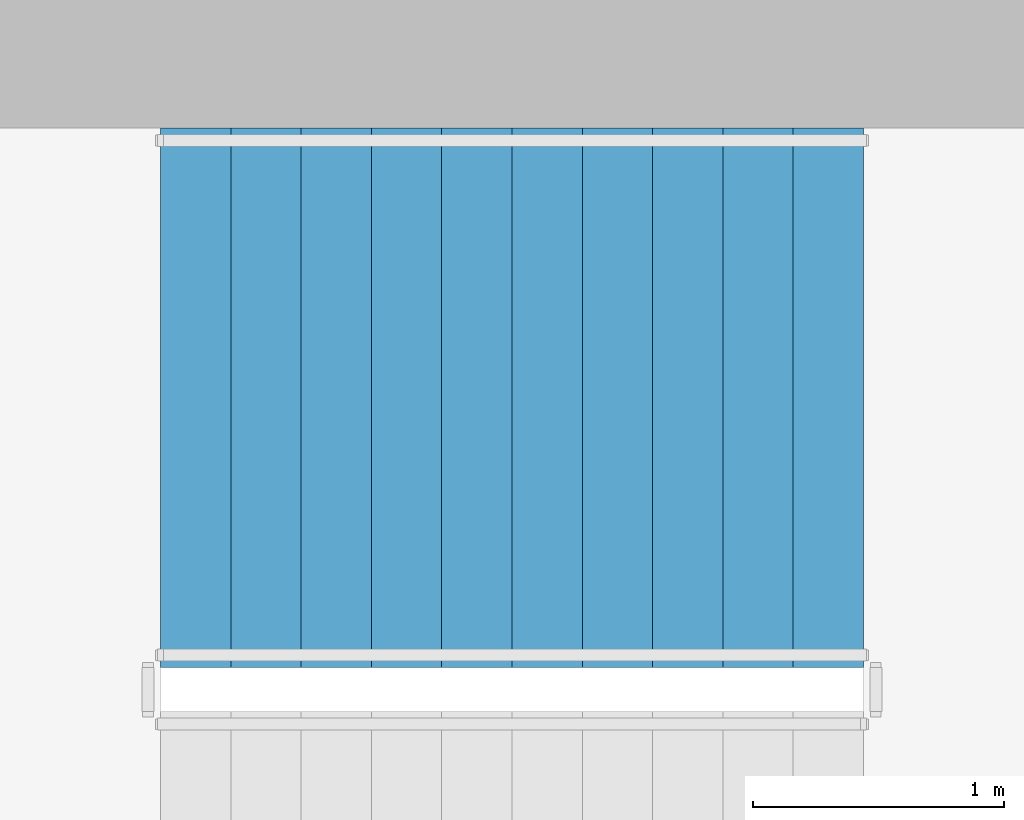
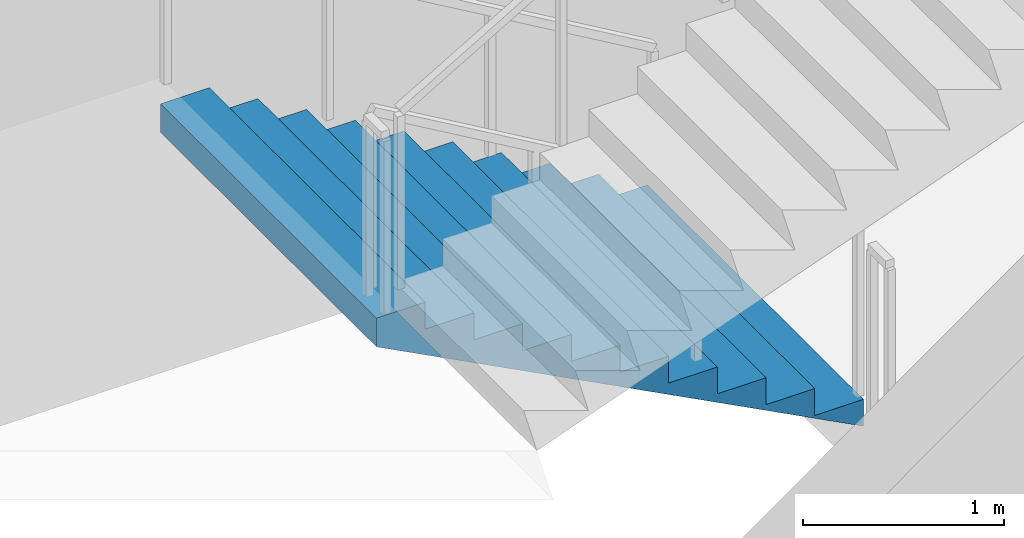
# One storey, part 12 of 20: 1 stair flight, 1 element without a shape of its own.
"""IFC4 building model written with IfcOpenShell, lengths in metres."""

from ifc_helpers import new_model, si_unit, direction, frame, origin, place, context, subcontext, project, spatial, triangles, material, type_object, element, aggregate, save


model = new_model("IFC4")

# Units and contexts
model_context = context("Model", 3, precision=1e-05, world=origin(), true_north=direction((0.0, 1.0)))
body_context = subcontext(model_context, "Body", "Model", "MODEL_VIEW")
ifc_project = project(units=[si_unit("LENGTHUNIT", "METRE"), si_unit("AREAUNIT", "SQUARE_METRE"), si_unit("VOLUMEUNIT", "CUBIC_METRE"), si_unit("PLANEANGLEUNIT", "RADIAN"), si_unit("MASSUNIT", "GRAM", prefix="KILO")], contexts=[model_context])

# Site, building, storey
site_placement = place(None, origin())
site = spatial("IfcSite", under=ifc_project, at=site_placement, CompositionType="ELEMENT")
building_placement = place(site_placement, origin())
building = spatial("IfcBuilding", under=site, at=building_placement, Name="Cypress Arch Tower", CompositionType="ELEMENT")
storey_placement = place(building_placement, frame((0.0, 0.0, 62.699951171875)))
storey = spatial("IfcBuildingStorey", under=building, at=storey_placement, Name="L09", CompositionType="ELEMENT", Elevation=62.699951171875)

# Stair, stair flight
ifc_material_1 = material(Name="Concrete C40/50", Category="concrete")
stair_type = type_object("IfcStairType", Name="Exit stair ES1636-215", PredefinedType="HALF_TURN_STAIR", material=ifc_material_1)
stair_placement = place(storey_placement, origin())
stair = element("IfcStair", 1, at=stair_placement, inside=storey, type_object=stair_type, Name="L09 Exit stair B", PredefinedType="HALF_TURN_STAIR")
ifc_material_2 = material(Name="Concrete C40/50", Category="concrete")
stair_flight_type = type_object("IfcStairFlightType", Name="Exit stair flight ES1636-215", PredefinedType="STRAIGHT", material=ifc_material_2)
stair_flight_placement = place(storey_placement, frame((-22.27490234375, 13.72509765625, 0.0), z_axis=(0.0, 0.0, 1.0), x_axis=(-1.0, 0.0, 0.0)))
stair_flight = element("IfcStairFlight", 2, at=stair_flight_placement, type_object=stair_flight_type, Name="B flight 1", NumberOfRisers=11, NumberOfTreads=10, PredefinedType="STRAIGHT", RiserHeight=0.163636364, TreadLength=0.28, context=body_context, shape_type="Tessellation", body=[
    triangles([(0.0, -1.074951171875, 0.0), (0.000244140625, -1.074951171875, 0.03271484375), (0.00048828125, -1.074951171875, 0.0654296875), (0.00048828125, -1.074951171875, 0.09814453125), (0.000244140625, -1.074951171875, 0.130859375), (0.0, -1.074951171875, 0.16357421875), (0.280029296875, -1.074951171875, 0.16357421875), (0.280029296875, -1.074951171875, 0.327392578125), (0.56005859375, -1.074951171875, 0.327392578125), (0.56005859375, -1.074951171875, 0.490966796875), (0.840087890625, -1.074951171875, 0.490966796875), (0.840087890625, -1.074951171875, 0.654541015625), (1.1201171875, -1.074951171875, 0.654541015625), (1.1201171875, -1.074951171875, 0.818115234375), (1.39990234375, -1.074951171875, 0.818115234375), (1.39990234375, -1.074951171875, 0.98193359375), (1.679931640625, -1.074951171875, 0.98193359375), (1.679931640625, -1.074951171875, 1.1455078125), (1.9599609375, -1.074951171875, 1.1455078125), (1.9599609375, -1.074951171875, 1.30908203125), (2.239990234375, -1.074951171875, 1.30908203125), (2.239990234375, -1.074951171875, 1.47265625), (2.52001953125, -1.074951171875, 1.47265625), (2.52001953125, -1.074951171875, 1.636474609375), (2.800048828125, -1.074951171875, 1.636474609375), (2.7998046875, -1.074951171875, 1.601806640625), (2.799560546875, -1.074951171875, 1.56689453125), (2.799560546875, -1.074951171875, 1.5322265625), (2.7998046875, -1.074951171875, 1.497314453125), (2.800048828125, -1.074951171875, 1.462646484375), (2.800048828125, 1.074951171875, 1.462646484375), (2.7998046875, 1.074951171875, 1.497314453125), (2.799560546875, 1.074951171875, 1.5322265625), (2.799560546875, 1.074951171875, 1.56689453125), (2.7998046875, 1.074951171875, 1.601806640625), (2.800048828125, 1.074951171875, 1.636474609375), (2.52001953125, 1.074951171875, 1.636474609375), (2.52001953125, 1.074951171875, 1.47265625), (2.239990234375, 1.074951171875, 1.47265625), (2.239990234375, 1.074951171875, 1.30908203125), (1.9599609375, 1.074951171875, 1.30908203125), (1.9599609375, 1.074951171875, 1.1455078125), (1.679931640625, 1.074951171875, 1.1455078125), (1.679931640625, 1.074951171875, 0.98193359375), (1.39990234375, 1.074951171875, 0.98193359375), (1.39990234375, 1.074951171875, 0.818115234375), (1.1201171875, 1.074951171875, 0.818115234375), (1.1201171875, 1.074951171875, 0.654541015625), (0.840087890625, 1.074951171875, 0.654541015625), (0.840087890625, 1.074951171875, 0.490966796875), (0.56005859375, 1.074951171875, 0.490966796875), (0.56005859375, 1.074951171875, 0.327392578125), (0.280029296875, 1.074951171875, 0.327392578125), (0.280029296875, 1.074951171875, 0.16357421875), (0.0, 1.074951171875, 0.16357421875), (0.000244140625, 1.074951171875, 0.130859375), (0.00048828125, 1.074951171875, 0.09814453125), (0.00048828125, 1.074951171875, 0.0654296875), (0.000244140625, 1.074951171875, 0.03271484375), (0.0, 1.074951171875, 0.0), (2.7998046875, 0.0, 1.497314453125), (2.800048828125, 0.0, 1.462646484375), (2.799560546875, 0.0, 1.5322265625), (2.799560546875, 0.0, 1.56689453125), (2.7998046875, 0.0, 1.601806640625), (2.800048828125, 0.0, 1.636474609375), (2.52001953125, 0.0, 1.636474609375), (2.52001953125, 0.0, 1.47265625), (2.239990234375, 0.0, 1.47265625), (2.239990234375, 0.0, 1.30908203125), (1.9599609375, 0.0, 1.30908203125), (1.9599609375, 0.0, 1.1455078125), (1.679931640625, 0.0, 1.1455078125), (1.679931640625, 0.0, 0.98193359375), (1.39990234375, 0.0, 0.98193359375), (1.39990234375, 0.0, 0.818115234375), (1.1201171875, 0.0, 0.818115234375), (1.1201171875, 0.0, 0.654541015625), (0.840087890625, 0.0, 0.654541015625), (0.840087890625, 0.0, 0.490966796875), (0.56005859375, 0.0, 0.490966796875), (0.56005859375, 0.0, 0.327392578125), (0.280029296875, 0.0, 0.327392578125), (0.280029296875, 0.0, 0.16357421875), (0.0, 0.0, 0.16357421875), (0.000244140625, 0.0, 0.130859375), (0.00048828125, 0.0, 0.09814453125), (0.00048828125, 0.0, 0.0654296875), (0.000244140625, 0.0, 0.03271484375), (0.0, 0.0, 0.0)], [[30, 29, 24], [29, 28, 24], [28, 27, 24], [27, 26, 24], [26, 25, 24], [17, 16, 15], [9, 8, 7], [15, 14, 13], [23, 22, 21], [21, 20, 19], [19, 18, 17], [13, 12, 11], [11, 10, 9], [6, 5, 7], [5, 4, 7], [4, 3, 7], [3, 2, 7], [2, 1, 7], [30, 24, 23], [30, 23, 21], [30, 21, 19], [30, 19, 17], [30, 17, 15], [30, 15, 13], [30, 13, 11], [30, 11, 9], [30, 9, 7], [30, 7, 1], [31, 37, 32], [32, 37, 33], [33, 37, 34], [34, 37, 35], [35, 37, 36], [44, 46, 45], [52, 54, 53], [46, 48, 47], [38, 40, 39], [40, 42, 41], [42, 44, 43], [48, 50, 49], [50, 52, 51], [55, 54, 56], [56, 54, 57], [57, 54, 58], [58, 54, 59], [59, 54, 60], [31, 38, 37], [31, 40, 38], [31, 42, 40], [31, 44, 42], [31, 46, 44], [31, 48, 46], [31, 50, 48], [31, 52, 50], [31, 54, 52], [31, 60, 54], [62, 61, 29], [62, 29, 30], [31, 32, 61], [31, 61, 62], [61, 63, 28], [61, 28, 29], [32, 33, 63], [32, 63, 61], [63, 64, 27], [63, 27, 28], [33, 34, 64], [33, 64, 63], [64, 65, 26], [64, 26, 27], [34, 35, 65], [34, 65, 64], [65, 66, 25], [65, 25, 26], [35, 36, 66], [35, 66, 65], [66, 67, 24], [66, 24, 25], [36, 37, 67], [36, 67, 66], [67, 68, 23], [67, 23, 24], [37, 38, 68], [37, 68, 67], [68, 69, 22], [68, 22, 23], [38, 39, 69], [38, 69, 68], [69, 70, 21], [69, 21, 22], [39, 40, 70], [39, 70, 69], [70, 71, 20], [70, 20, 21], [40, 41, 71], [40, 71, 70], [71, 72, 19], [71, 19, 20], [41, 42, 72], [41, 72, 71], [72, 73, 18], [72, 18, 19], [42, 43, 73], [42, 73, 72], [73, 74, 17], [73, 17, 18], [43, 44, 74], [43, 74, 73], [74, 75, 16], [74, 16, 17], [44, 45, 75], [44, 75, 74], [75, 76, 15], [75, 15, 16], [45, 46, 76], [45, 76, 75], [76, 77, 14], [76, 14, 15], [46, 47, 77], [46, 77, 76], [77, 78, 13], [77, 13, 14], [47, 48, 78], [47, 78, 77], [78, 79, 12], [78, 12, 13], [48, 49, 79], [48, 79, 78], [79, 80, 11], [79, 11, 12], [49, 50, 80], [49, 80, 79], [80, 81, 10], [80, 10, 11], [50, 51, 81], [50, 81, 80], [81, 82, 9], [81, 9, 10], [51, 52, 82], [51, 82, 81], [82, 83, 8], [82, 8, 9], [52, 53, 83], [52, 83, 82], [83, 84, 7], [83, 7, 8], [53, 54, 84], [53, 84, 83], [84, 85, 6], [84, 6, 7], [54, 55, 85], [54, 85, 84], [85, 86, 5], [85, 5, 6], [55, 56, 86], [55, 86, 85], [86, 87, 4], [86, 4, 5], [56, 57, 87], [56, 87, 86], [87, 88, 3], [87, 3, 4], [57, 58, 88], [57, 88, 87], [88, 89, 2], [88, 2, 3], [58, 59, 89], [58, 89, 88], [89, 90, 1], [89, 1, 2], [59, 60, 90], [59, 90, 89], [90, 62, 30], [90, 30, 1], [60, 31, 62], [60, 62, 90]], closed=True),
])
aggregate(stair, [stair_flight])

save(model, "model.ifc")
